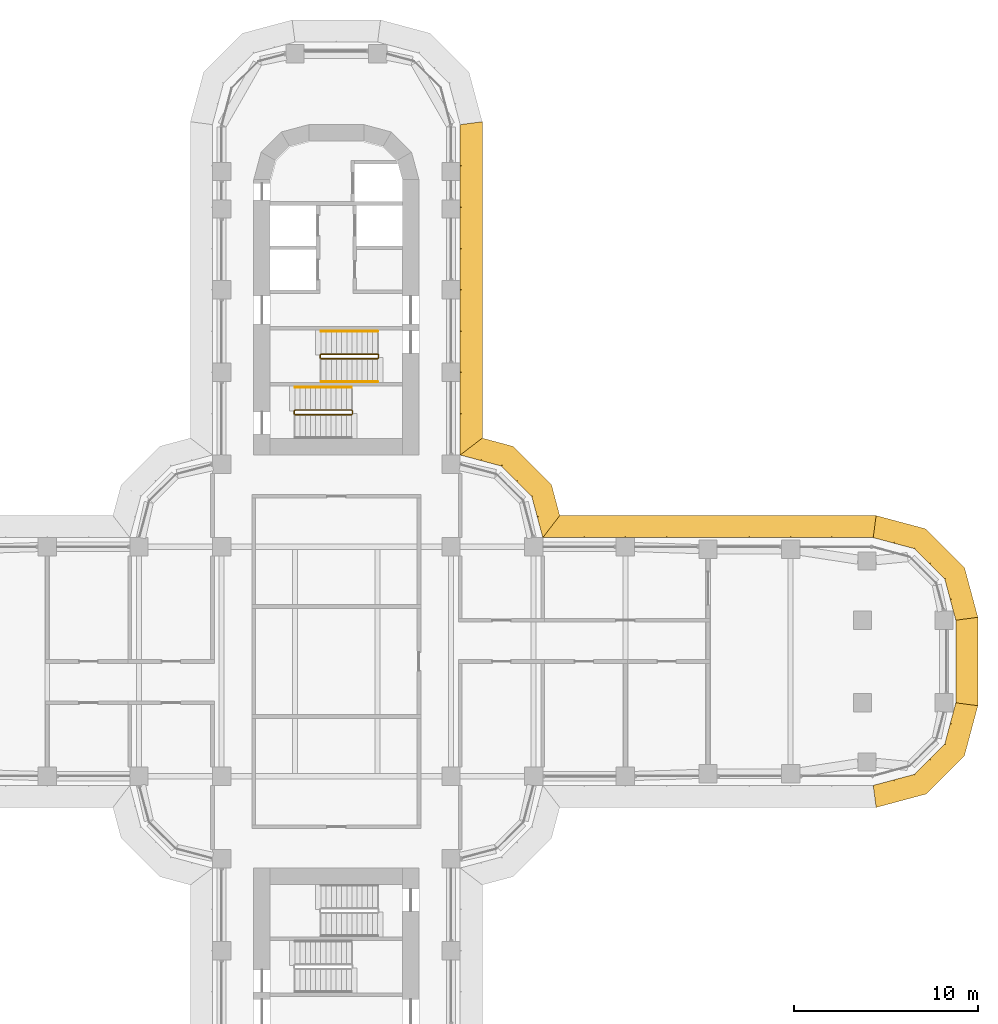
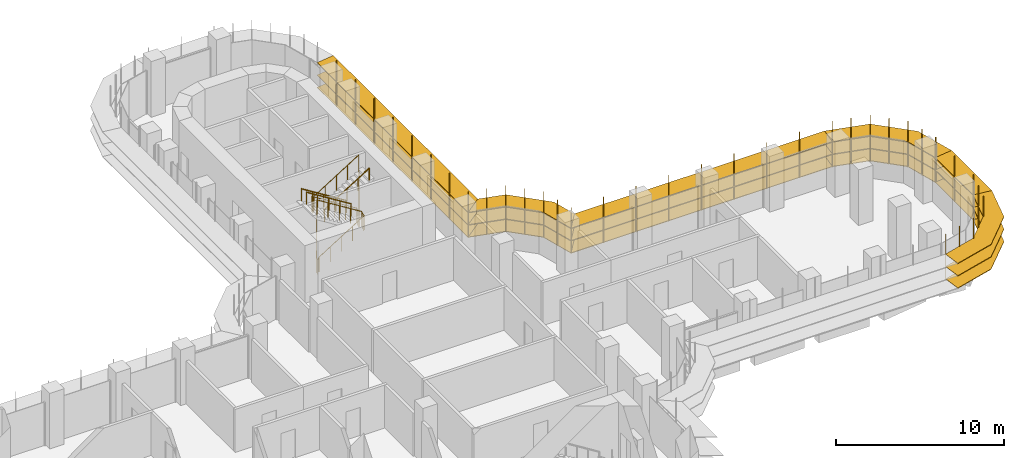
# One storey, part 22 of 23: 6 shading devices, 5 railings.
"""IFC4 building model written with IfcOpenShell, lengths in metres."""

import ifcopenshell
import ifcopenshell.guid

model = None  # the IFC model being written
_history = None  # IfcOwnerHistory: only IFC2X3 demands one
_inside = {}  # id of a spatial element -> (the spatial element, [elements in it])
_under = {}  # id of a project, library or spatial element -> (it, [spatial elements below it])
_declared = {}  # id of a project -> (the project, [libraries it declares])
_typed = {}  # id of a type object -> (the type object, [elements of that type])
_made_of = {}  # id of a material, layer set ... -> (it, [elements and type objects made of it])


def new_model(schema):
    """Start an empty IFC model of exactly this schema.

    Asked for "IFC4X3", IfcOpenShell would pick the latest addendum, in which some entities
    have other attributes; the version numbers below select the first issue.
    IFC2X3 requires an IfcOwnerHistory on every rooted entity: one is made here for all.
    """
    global model, _history
    if schema == "IFC4X3":
        model = ifcopenshell.file(schema_version=(4, 3, 0, 0))
    else:
        model = ifcopenshell.file(schema=schema)
    _inside.clear()
    _under.clear()
    _declared.clear()
    _typed.clear()
    _made_of.clear()
    _history = None
    if model.schema == "IFC2X3":
        org = make("IfcOrganization", Name="unknown")
        user = make(
            "IfcPersonAndOrganization",
            ThePerson=make("IfcPerson", FamilyName="unknown"),
            TheOrganization=org,
        )
        app = make(
            "IfcApplication",
            ApplicationDeveloper=org,
            Version="unknown",
            ApplicationFullName="unknown",
            ApplicationIdentifier="unknown",
        )
        _history = make(
            "IfcOwnerHistory",
            OwningUser=user,
            OwningApplication=app,
            ChangeAction="ADDED",
            CreationDate=0,
        )
    return model


def make(cls, **values):
    """One entity of the class cls with the attributes given. An attribute that is None is left unset."""
    return model.create_entity(
        cls, **{name: value for name, value in values.items() if value is not None}
    )


def rooted(cls, **values):
    """An entity with a GlobalId (a new one), such as an element, a storey or a relation."""
    return make(cls, GlobalId=ifcopenshell.guid.new(), OwnerHistory=_history, **values)


def si_unit(unit_type, name, prefix=None):
    """IfcSIUnit, for example si_unit("LENGTHUNIT", "METRE", prefix="MILLI")."""
    return make("IfcSIUnit", UnitType=unit_type, Prefix=prefix, Name=name)


def assignment(units):
    """IfcUnitAssignment: the units of a project."""
    return None if units is None else make("IfcUnitAssignment", Units=units)


def point(xyz):
    """IfcCartesianPoint."""
    return None if xyz is None else make("IfcCartesianPoint", Coordinates=xyz)


def direction(xyz):
    """IfcDirection."""
    return None if xyz is None else make("IfcDirection", DirectionRatios=xyz)


def frame(location, z_axis=None, x_axis=None):
    """IfcAxis2Placement3D, a coordinate frame: its origin and axes. An axis left out is left unset."""
    return make(
        "IfcAxis2Placement3D",
        Location=point(location),
        Axis=direction(z_axis),
        RefDirection=direction(x_axis),
    )


def frame_2d(location, x_axis=None):
    """IfcAxis2Placement2D, a coordinate frame in the plane: its origin and x axis."""
    return make(
        "IfcAxis2Placement2D", Location=point(location), RefDirection=direction(x_axis)
    )


def origin():
    """The frame at (0, 0, 0) with its axes left unset."""
    return frame((0.0, 0.0, 0.0))


def origin_2d():
    """The frame at (0, 0) in the plane with its x axis left unset."""
    return frame_2d((0.0, 0.0))


def place(relative_to, where):
    """IfcLocalPlacement: puts the frame where relative to a parent placement (None: the world)."""
    return make(
        "IfcLocalPlacement", PlacementRelTo=relative_to, RelativePlacement=where
    )


def context(
    kind, dimensions, precision=None, world=None, true_north=None, identifier=None
):
    """IfcGeometricRepresentationContext, for example the 3D "Model" context."""
    return make(
        "IfcGeometricRepresentationContext",
        ContextIdentifier=identifier,
        ContextType=kind,
        CoordinateSpaceDimension=dimensions,
        Precision=precision,
        WorldCoordinateSystem=world,
        TrueNorth=true_north,
    )


def subcontext(parent, identifier, kind, view, scale=None):
    """IfcGeometricRepresentationSubContext, for example "Body" below "Model"."""
    return make(
        "IfcGeometricRepresentationSubContext",
        ContextIdentifier=identifier,
        ContextType=kind,
        ParentContext=parent,
        TargetScale=scale,
        TargetView=view,
    )


def project(units=None, contexts=None):
    """IfcProject with its units and contexts."""
    return rooted(
        "IfcProject",
        Name="project",
        RepresentationContexts=contexts,
        UnitsInContext=assignment(units),
    )


def spatial(cls, under=None, at=None, **own):
    """A site, building, storey or space (cls), placed at a placement, below another one or the project."""
    s = rooted(cls, ObjectPlacement=at, **own)
    if under is not None:
        _under.setdefault(under.id(), (under, []))[1].append(s)
    return s


def polyline(points):
    """IfcPolyline through the points."""
    return make("IfcPolyline", Points=[point(p) for p in points])


def profile(cls, at=None, kind="AREA", **sizes):
    """A parametric profile (cls). Its sizes go by their IFC names, for example OverallWidth=200.0."""
    return make(cls, ProfileType=kind, Position=at, **sizes)


def circle(**sizes):
    """IfcCircleProfileDef."""
    return profile("IfcCircleProfileDef", **sizes)


def outline(outer, holes=None, kind="AREA"):
    """IfcArbitraryClosedProfileDef: a profile drawn as a closed curve; with holes, ...WithVoids."""
    if holes is None:
        return make("IfcArbitraryClosedProfileDef", ProfileType=kind, OuterCurve=outer)
    return make(
        "IfcArbitraryProfileDefWithVoids",
        ProfileType=kind,
        OuterCurve=outer,
        InnerCurves=holes,
    )


def extrude(swept, where, along, depth):
    """IfcExtrudedAreaSolid: the profile swept, set in the frame where, extruded along a direction by depth."""
    return make(
        "IfcExtrudedAreaSolid",
        SweptArea=swept,
        Position=where,
        ExtrudedDirection=direction(along),
        Depth=depth,
    )


def faces_of(points, faces, orient=None, outer=None):
    """IfcFace entities. A face is a list of loops; a loop is a list of indices into points, from 0.

    orient and outer hold one flag for each loop. By default every Orientation is true, the
    first loop of a face is its IfcFaceOuterBound and the others are IfcFaceBound.
    """
    made = []
    for i, loops in enumerate(faces):
        bounds = []
        for j, loop in enumerate(loops):
            is_outer = j == 0 if outer is None else outer[i][j]
            bounds.append(
                make(
                    "IfcFaceOuterBound" if is_outer else "IfcFaceBound",
                    Bound=make("IfcPolyLoop", Polygon=[points[k] for k in loop]),
                    Orientation=True if orient is None else orient[i][j],
                )
            )
        made.append(make("IfcFace", Bounds=bounds))
    return made


def faceted_brep(points, faces, orient=None, outer=None, voids=None):
    """IfcFacetedBrep: a solid bounded by flat faces; with voids (closed shells), ...WithVoids."""
    shared = [point(p) for p in points]
    hull = make("IfcClosedShell", CfsFaces=faces_of(shared, faces, orient, outer))
    if voids is None:
        return make("IfcFacetedBrep", Outer=hull)
    return make(
        "IfcFacetedBrepWithVoids",
        Outer=hull,
        Voids=[
            make(cls, CfsFaces=faces_of(shared, fs, o, b)) for cls, fs, o, b in voids
        ],
    )


def shape(context_of_items, identifier, shape_type, items):
    """IfcShapeRepresentation: the items that make up one representation, for example the "Body"."""
    return make(
        "IfcShapeRepresentation",
        ContextOfItems=context_of_items,
        RepresentationIdentifier=identifier,
        RepresentationType=shape_type,
        Items=items,
    )


def source(mapping_origin, context_of_items, identifier, shape_type, items):
    """IfcRepresentationMap: a shape defined once, which mapped items show again and again."""
    return make(
        "IfcRepresentationMap",
        MappingOrigin=mapping_origin,
        MappedRepresentation=shape(context_of_items, identifier, shape_type, items),
    )


def transform(
    local_origin,
    x_axis=None,
    y_axis=None,
    z_axis=None,
    scale=None,
    scale2=None,
    scale3=None,
    uniform=True,
):
    """IfcCartesianTransformationOperator3D, or its non-uniform kind. x_axis, y_axis, z_axis: its Axis1, 2, 3."""
    if uniform:
        return make(
            "IfcCartesianTransformationOperator3D",
            Axis1=direction(x_axis),
            Axis2=direction(y_axis),
            LocalOrigin=point(local_origin),
            Scale=scale,
            Axis3=direction(z_axis),
        )
    return make(
        "IfcCartesianTransformationOperator3DnonUniform",
        Axis1=direction(x_axis),
        Axis2=direction(y_axis),
        LocalOrigin=point(local_origin),
        Scale=scale,
        Axis3=direction(z_axis),
        Scale2=scale2,
        Scale3=scale3,
    )


def mapped(mapping_source, mapping_target):
    """IfcMappedItem: shows the shape of a source again, moved by a transform."""
    return make(
        "IfcMappedItem", MappingSource=mapping_source, MappingTarget=mapping_target
    )


def material(Name=None, Category=None):
    """IfcMaterial."""
    return make("IfcMaterial", Name=Name, Category=Category)


def made_of(thing, what):
    """Note that an element or type object is made of a material, layer set ...; save() writes the relation."""
    if what is not None:
        _made_of.setdefault(what.id(), (what, []))[1].append(thing)
    return thing


def type_object(cls, material=None, **own):
    """A type object (cls), such as IfcWallType, which elements share."""
    return made_of(rooted(cls, **own), material)


def element(
    cls,
    number,
    at=None,
    inside=None,
    cuts=None,
    type_object=None,
    material=None,
    context=None,
    identifier="Body",
    shape_type=None,
    held_by="IfcProductDefinitionShape",
    body=None,
    shapes=None,
    **own,
):
    """One element of the class cls, such as IfcWall. Its Tag is "e" and its number.

    at: its placement. inside: the storey or other place that contains it. cuts: it is an
    opening in that element (IfcRelVoidsElement). A single representation is given by context,
    identifier, shape_type and body (its items); several are given by shapes. held_by: the class
    of the entity that holds the representations. save() writes the other relations.
    """
    e = rooted(cls, Tag="e%d" % number, ObjectPlacement=at, **own)
    if body is not None:
        shapes = [shape(context, identifier, shape_type, body)]
    if shapes is not None:
        e.Representation = make(held_by, Representations=shapes)
    if inside is not None:
        _inside.setdefault(inside.id(), (inside, []))[1].append(e)
    if cuts is not None:
        rooted(
            "IfcRelVoidsElement", RelatingBuildingElement=cuts, RelatedOpeningElement=e
        )
    if type_object is not None:
        _typed.setdefault(type_object.id(), (type_object, []))[1].append(e)
    return made_of(e, material)


def aggregate(whole, parts):
    """IfcRelAggregates: a whole, such as a stair, and the parts it consists of."""
    return rooted("IfcRelAggregates", RelatingObject=whole, RelatedObjects=parts)


def save(model, path):
    """Write the relations noted so far, then the file.

    IfcRelAggregates (storeys below a building ...), IfcRelContainedInSpatialStructure (elements
    in a storey), IfcRelDefinesByType, IfcRelAssociatesMaterial and IfcRelDeclares: one each for
    every whole, place, type object, material and project.
    """
    for whole, parts in _under.values():
        aggregate(whole, parts)
    for where, things in _inside.values():
        rooted(
            "IfcRelContainedInSpatialStructure",
            RelatedElements=things,
            RelatingStructure=where,
        )
    for kind, things in _typed.values():
        rooted("IfcRelDefinesByType", RelatedObjects=things, RelatingType=kind)
    for what, things in _made_of.values():
        rooted("IfcRelAssociatesMaterial", RelatedObjects=things, RelatingMaterial=what)
    for by, libraries in _declared.values():
        rooted("IfcRelDeclares", RelatingContext=by, RelatedDefinitions=libraries)
    model.write(path)


model = new_model("IFC4")

# Units and contexts
model_context = context("Model", 3, precision=1e-05, world=origin(), true_north=direction((0.0, 1.0)))
body_context = subcontext(model_context, "Body", "Model", "MODEL_VIEW")
ifc_project = project(units=[si_unit("LENGTHUNIT", "METRE"), si_unit("AREAUNIT", "SQUARE_METRE"), si_unit("VOLUMEUNIT", "CUBIC_METRE"), si_unit("PLANEANGLEUNIT", "RADIAN"), si_unit("MASSUNIT", "GRAM", prefix="KILO")], contexts=[model_context])

# Site, building, storey
site_placement = place(None, origin())
site = spatial("IfcSite", under=ifc_project, at=site_placement, CompositionType="ELEMENT")
building_placement = place(site_placement, origin())
building = spatial("IfcBuilding", under=site, at=building_placement, Name="Zarbagh Exchange Tower", CompositionType="ELEMENT")
storey_placement = place(building_placement, frame((0.0, 0.0, 35.39990234375)))
storey = spatial("IfcBuildingStorey", under=building, at=storey_placement, Name="L07", CompositionType="ELEMENT", Elevation=35.39990234375)

# Railings
ifc_material_1 = material(Name="Stainless steel", Category="steel")
railing_type_1 = type_object("IfcRailingType", Name="Stair guard 1100 mm", PredefinedType="GUARDRAIL", material=ifc_material_1)
railing_1_placement = place(storey_placement, frame((-0.830078125, 16.5, 2.275146484375)))
element("IfcRailing", 1, at=railing_1_placement, inside=storey, type_object=railing_type_1, Name="ST1 stair guard 1", PredefinedType="GUARDRAIL", context=body_context, shape_type="SweptSolid", body=[
    extrude(circle(Radius=0.02392578125, at=origin_2d()), frame((0.0, 0.0, 1.076171875), z_axis=(0.847998304005, 0.0, 0.529998940003), x_axis=(0.0, 1.0, 0.0)), (0.0, 0.0, 1.0), 3.632080078125),
    extrude(circle(Radius=0.02392578125, at=origin_2d()), frame((3.080078125, 0.0, 3.0009765625), z_axis=(0.011914141993, 0.011914141993, -0.999858043145), x_axis=(-0.707106781187, 0.707106781187, 0.0)), (0.0, 0.0, 1.0), 4.20068359375),
    extrude(circle(Radius=0.02392578125, at=origin_2d()), frame((3.130126953125, 0.050048828125, -1.19921875), z_axis=(0.0, 1.0, 0.0), x_axis=(-1.0, 0.0, 0.0)), (0.0, 0.0, 1.0), 0.14990234375),
    extrude(circle(Radius=0.02392578125, at=origin_2d()), frame((3.130126953125, 0.199951171875, -1.19921875), z_axis=(-0.265065253269, 0.265065253269, 0.927081885822), x_axis=(-0.707106781187, -0.707106781187, 0.0)), (0.0, 0.0, 1.0), 0.188720703125),
    extrude(circle(Radius=0.02392578125, at=origin_2d()), frame((3.080078125, 0.25, -1.02392578125), z_axis=(-0.847998304005, 0.0, 0.529998940003), x_axis=(0.0, -1.0, 0.0)), (0.0, 0.0, 1.0), 3.632080078125),
    extrude(circle(Radius=0.02392578125, at=origin_2d()), frame((0.0, 0.25, 0.90087890625), z_axis=(-0.705375805398, -0.708833529934, 0.0), x_axis=(0.708833529934, -0.705375805398, 0.0)), (0.0, 0.0, 1.0), 0.070556640625),
    extrude(circle(Radius=0.02392578125, at=origin_2d()), frame((-0.0498046875, 0.199951171875, 0.90087890625), z_axis=(0.0, -1.0, 0.0), x_axis=(1.0, 0.0, 0.0)), (0.0, 0.0, 1.0), 0.14990234375),
    extrude(circle(Radius=0.02099609375, at=origin_2d()), origin(), (0.0, 0.0, 1.0), 1.052001953125),
    extrude(circle(Radius=0.02099609375, at=origin_2d()), frame((0.77001953125, 0.0, 0.481201171875)), (0.0, 0.0, 1.0), 1.052001953125),
    extrude(circle(Radius=0.02099609375, at=origin_2d()), frame((1.5400390625, 0.0, 0.96240234375)), (0.0, 0.0, 1.0), 1.052001953125),
    extrude(circle(Radius=0.02099609375, at=origin_2d()), frame((2.31005859375, 0.0, 1.44384765625)), (0.0, 0.0, 1.0), 1.052001953125),
    extrude(circle(Radius=0.02099609375, at=origin_2d()), frame((3.080078125, 0.0, 1.925048828125)), (0.0, 0.0, 1.0), 1.052001953125),
    extrude(circle(Radius=0.02099609375, at=origin_2d()), frame((3.092529296875, 0.012451171875, 0.875)), (0.0, 0.0, 1.0), 1.052001953125),
    extrude(circle(Radius=0.02099609375, at=origin_2d()), frame((3.10498046875, 0.02490234375, -0.175048828125)), (0.0, 0.0, 1.0), 1.052001953125),
    extrude(circle(Radius=0.02099609375, at=origin_2d()), frame((3.11767578125, 0.03759765625, -1.22509765625)), (0.0, 0.0, 1.0), 1.052001953125),
    extrude(circle(Radius=0.02099609375, at=origin_2d()), frame((3.130126953125, 0.050048828125, -2.275146484375)), (0.0, 0.0, 1.0), 1.052001953125),
    extrude(circle(Radius=0.02099609375, at=origin_2d()), frame((3.130126953125, 0.199951171875, -2.275146484375)), (0.0, 0.0, 1.0), 1.052001953125),
    extrude(circle(Radius=0.02099609375, at=origin_2d()), frame((3.080078125, 0.25, -2.10009765625)), (0.0, 0.0, 1.0), 1.052001953125),
    extrude(circle(Radius=0.02099609375, at=origin_2d()), frame((2.31005859375, 0.25, -1.618896484375)), (0.0, 0.0, 1.0), 1.052001953125),
    extrude(circle(Radius=0.02099609375, at=origin_2d()), frame((1.5400390625, 0.25, -1.1376953125)), (0.0, 0.0, 1.0), 1.052001953125),
    extrude(circle(Radius=0.02099609375, at=origin_2d()), frame((0.77001953125, 0.25, -0.65625)), (0.0, 0.0, 1.0), 1.052001953125),
    extrude(circle(Radius=0.02099609375, at=origin_2d()), frame((0.0, 0.25, -0.175048828125)), (0.0, 0.0, 1.0), 1.052001953125),
    extrude(circle(Radius=0.02099609375, at=origin_2d()), frame((-0.0498046875, 0.199951171875, -0.175048828125)), (0.0, 0.0, 1.0), 1.052001953125),
    extrude(circle(Radius=0.02099609375, at=origin_2d()), frame((-0.0498046875, 0.050048828125, -0.175048828125)), (0.0, 0.0, 1.0), 1.052001953125),
])
railing_2_placement = place(storey_placement, frame((0.8798828125, 13.5, 2.10009765625)))
element("IfcRailing", 2, at=railing_2_placement, inside=storey, type_object=railing_type_1, Name="ST2 stair guard 1", PredefinedType="GUARDRAIL", context=body_context, shape_type="SweptSolid", body=[
    extrude(circle(Radius=0.02392578125, at=origin_2d()), frame((0.0, 0.0, 1.076171875), z_axis=(0.0, 1.0, 0.0), x_axis=(-1.0, 0.0, 0.0)), (0.0, 0.0, 1.0), 0.14990234375),
    extrude(circle(Radius=0.02392578125, at=origin_2d()), frame((0.0, 0.14990234375, 1.076171875), z_axis=(-0.263862480399, 0.265155923931, 0.927399011991), x_axis=(-0.708833529934, -0.705375805398, 0.0)), (0.0, 0.0, 1.0), 0.188720703125),
    extrude(circle(Radius=0.02392578125, at=origin_2d()), frame((-0.0498046875, 0.199951171875, 1.2509765625), z_axis=(-0.847998304005, 0.0, 0.529998940003), x_axis=(0.0, -1.0, 0.0)), (0.0, 0.0, 1.0), 3.632080078125),
    extrude(circle(Radius=0.02392578125, at=origin_2d()), frame((-3.1298828125, 0.199951171875, 3.17626953125), z_axis=(-0.011914141993, -0.011914141993, -0.999858043145), x_axis=(0.707106781187, -0.707106781187, 0.0)), (0.0, 0.0, 1.0), 4.20068359375),
    extrude(circle(Radius=0.02392578125, at=origin_2d()), frame((-3.179931640625, 0.14990234375, -1.02392578125), z_axis=(0.0, -1.0, 0.0), x_axis=(1.0, 0.0, 0.0)), (0.0, 0.0, 1.0), 0.14990234375),
    extrude(circle(Radius=0.02392578125, at=origin_2d()), frame((-3.179931640625, 0.0, -1.02392578125), z_axis=(0.265065253269, -0.265065253269, 0.927081885822), x_axis=(0.707106781187, 0.707106781187, 0.0)), (0.0, 0.0, 1.0), 0.188720703125),
    extrude(circle(Radius=0.02392578125, at=origin_2d()), frame((-3.1298828125, -0.050048828125, -0.84912109375), z_axis=(0.847998304005, 0.0, 0.529998940003), x_axis=(0.0, 1.0, 0.0)), (0.0, 0.0, 1.0), 3.632080078125),
    extrude(circle(Radius=0.02099609375, at=origin_2d()), origin(), (0.0, 0.0, 1.0), 1.052001953125),
    extrude(circle(Radius=0.02099609375, at=origin_2d()), frame((0.0, 0.14990234375, 0.0)), (0.0, 0.0, 1.0), 1.052001953125),
    extrude(circle(Radius=0.02099609375, at=origin_2d()), frame((-0.0498046875, 0.199951171875, 0.175048828125)), (0.0, 0.0, 1.0), 1.052001953125),
    extrude(circle(Radius=0.02099609375, at=origin_2d()), frame((-0.81982421875, 0.199951171875, 0.65625)), (0.0, 0.0, 1.0), 1.052001953125),
    extrude(circle(Radius=0.02099609375, at=origin_2d()), frame((-1.58984375, 0.199951171875, 1.1376953125)), (0.0, 0.0, 1.0), 1.052001953125),
    extrude(circle(Radius=0.02099609375, at=origin_2d()), frame((-2.35986328125, 0.199951171875, 1.618896484375)), (0.0, 0.0, 1.0), 1.052001953125),
    extrude(circle(Radius=0.02099609375, at=origin_2d()), frame((-3.1298828125, 0.199951171875, 2.10009765625)), (0.0, 0.0, 1.0), 1.052001953125),
    extrude(circle(Radius=0.02099609375, at=origin_2d()), frame((-3.142333984375, 0.1875, 1.050048828125)), (0.0, 0.0, 1.0), 1.052001953125),
    extrude(circle(Radius=0.02099609375, at=origin_2d()), frame((-3.15478515625, 0.1748046875, 0.0)), (0.0, 0.0, 1.0), 1.052001953125),
    extrude(circle(Radius=0.02099609375, at=origin_2d()), frame((-3.16748046875, 0.162353515625, -1.050048828125)), (0.0, 0.0, 1.0), 1.052001953125),
    extrude(circle(Radius=0.02099609375, at=origin_2d()), frame((-3.179931640625, 0.14990234375, -2.10009765625)), (0.0, 0.0, 1.0), 1.052001953125),
    extrude(circle(Radius=0.02099609375, at=origin_2d()), frame((-3.179931640625, 0.0, -2.10009765625)), (0.0, 0.0, 1.0), 1.052001953125),
    extrude(circle(Radius=0.02099609375, at=origin_2d()), frame((-3.1298828125, -0.050048828125, -1.925048828125)), (0.0, 0.0, 1.0), 1.052001953125),
    extrude(circle(Radius=0.02099609375, at=origin_2d()), frame((-2.35986328125, -0.050048828125, -1.44384765625)), (0.0, 0.0, 1.0), 1.052001953125),
    extrude(circle(Radius=0.02099609375, at=origin_2d()), frame((-1.58984375, -0.050048828125, -0.96240234375)), (0.0, 0.0, 1.0), 1.052001953125),
    extrude(circle(Radius=0.02099609375, at=origin_2d()), frame((-0.81982421875, -0.050048828125, -0.481201171875)), (0.0, 0.0, 1.0), 1.052001953125),
    extrude(circle(Radius=0.02099609375, at=origin_2d()), frame((-0.0498046875, -0.050048828125, 0.0)), (0.0, 0.0, 1.0), 1.052001953125),
])
railing_type_2 = type_object("IfcRailingType", Name="Stair handrail 900 mm", PredefinedType="HANDRAIL", material=ifc_material_1)
railing_3_placement = place(storey_placement, frame((2.25, 18.0, 0.175048828125)))
element("IfcRailing", 3, at=railing_3_placement, inside=storey, type_object=railing_type_2, Name="ST1 stair handrail 1", PredefinedType="HANDRAIL", context=body_context, shape_type="SweptSolid", body=[
    extrude(circle(Radius=0.02392578125, at=origin_2d()), frame((0.0, 0.0, 0.8759765625), z_axis=(-0.847998304005, 0.0, 0.529998940003), x_axis=(0.0, -1.0, 0.0)), (0.0, 0.0, 1.0), 3.632080078125),
    extrude(circle(Radius=0.02099609375, at=origin_2d()), origin(), (0.0, 0.0, 1.0), 0.851806640625),
    extrude(circle(Radius=0.02099609375, at=origin_2d()), frame((-0.77001953125, 0.0, 0.481201171875)), (0.0, 0.0, 1.0), 0.851806640625),
    extrude(circle(Radius=0.02099609375, at=origin_2d()), frame((-1.5400390625, 0.0, 0.96240234375)), (0.0, 0.0, 1.0), 0.851806640625),
    extrude(circle(Radius=0.02099609375, at=origin_2d()), frame((-2.31005859375, 0.0, 1.44384765625)), (0.0, 0.0, 1.0), 0.851806640625),
    extrude(circle(Radius=0.02099609375, at=origin_2d()), frame((-3.080078125, 0.0, 1.925048828125)), (0.0, 0.0, 1.0), 0.851806640625),
])
railing_4_placement = place(storey_placement, frame((-0.830078125, 15.25, 2.275146484375)))
element("IfcRailing", 4, at=railing_4_placement, inside=storey, type_object=railing_type_2, Name="ST1 stair handrail 2", PredefinedType="HANDRAIL", context=body_context, shape_type="SweptSolid", body=[
    extrude(circle(Radius=0.02392578125, at=origin_2d()), frame((0.0, 0.0, 0.8759765625), z_axis=(0.847998304005, 0.0, 0.529998940003), x_axis=(0.0, 1.0, 0.0)), (0.0, 0.0, 1.0), 3.632080078125),
    extrude(circle(Radius=0.02099609375, at=origin_2d()), origin(), (0.0, 0.0, 1.0), 0.851806640625),
    extrude(circle(Radius=0.02099609375, at=origin_2d()), frame((0.77001953125, 0.0, 0.481201171875)), (0.0, 0.0, 1.0), 0.851806640625),
    extrude(circle(Radius=0.02099609375, at=origin_2d()), frame((1.5400390625, 0.0, 0.96240234375)), (0.0, 0.0, 1.0), 0.851806640625),
    extrude(circle(Radius=0.02099609375, at=origin_2d()), frame((2.31005859375, 0.0, 1.44384765625)), (0.0, 0.0, 1.0), 0.851806640625),
    extrude(circle(Radius=0.02099609375, at=origin_2d()), frame((3.080078125, 0.0, 1.925048828125)), (0.0, 0.0, 1.0), 0.851806640625),
])
railing_5_placement = place(storey_placement, frame((0.830078125, 14.949951171875, 2.275146484375)))
element("IfcRailing", 5, at=railing_5_placement, inside=storey, type_object=railing_type_2, Name="ST2 stair handrail 2", PredefinedType="HANDRAIL", context=body_context, shape_type="SweptSolid", body=[
    extrude(circle(Radius=0.02392578125, at=origin_2d()), frame((0.0, 0.0, 0.8759765625), z_axis=(-0.847998304005, 0.0, 0.529998940003), x_axis=(0.0, -1.0, 0.0)), (0.0, 0.0, 1.0), 3.632080078125),
    extrude(circle(Radius=0.02099609375, at=origin_2d()), origin(), (0.0, 0.0, 1.0), 0.851806640625),
    extrude(circle(Radius=0.02099609375, at=origin_2d()), frame((-0.77001953125, 0.0, 0.481201171875)), (0.0, 0.0, 1.0), 0.851806640625),
    extrude(circle(Radius=0.02099609375, at=origin_2d()), frame((-1.5400390625, 0.0, 0.96240234375)), (0.0, 0.0, 1.0), 0.851806640625),
    extrude(circle(Radius=0.02099609375, at=origin_2d()), frame((-2.31005859375, 0.0, 1.44384765625)), (0.0, 0.0, 1.0), 0.851806640625),
    extrude(circle(Radius=0.02099609375, at=origin_2d()), frame((-3.080078125, 0.0, 1.925048828125)), (0.0, 0.0, 1.0), 0.851806640625),
])

# Shading devices
ifc_material_2 = material(Name="Anodised aluminium blades and brackets", Category="aluminium")
shading_device_type = type_object("IfcShadingDeviceType", Name="SUNSHADE louvre band, 0 degree blades", PredefinedType="JALOUSIE", material=ifc_material_2)
shared_shape_1 = source(origin(), body_context, "Body", "Brep", [
    faceted_brep([(0.0, 0.0, 0.0), (0.0, 0.0, -0.0400390625), (-0.157958984375, -1.199951171875, -0.0400390625), (-0.157958984375, -1.199951171875, 0.0), (2.65087890625, -1.199951171875, 0.0), (2.65087890625, -1.199951171875, -0.0400390625), (2.329345703125, 0.0, -0.0400390625), (2.329345703125, 0.0, 0.0)], [[[0, 1, 2, 3]], [[4, 5, 6, 7]], [[0, 7, 6, 1]], [[1, 6, 5, 2]], [[2, 5, 4, 3]], [[3, 4, 7, 0]]]),
])
shared_shape_2 = source(origin(), body_context, "Body", "Brep", [
    faceted_brep([(0.0, 0.0, 0.0), (0.0, 0.0, -0.0400390625), (-0.321533203125, -1.199951171875, -0.0400390625), (-0.321533203125, -1.199951171875, 0.0), (2.65087890625, -1.199951171875, 0.0), (2.65087890625, -1.199951171875, -0.0400390625), (2.329345703125, 0.0, -0.0400390625), (2.329345703125, 0.0, 0.0)], [[[0, 1, 2, 3]], [[4, 5, 6, 7]], [[0, 7, 6, 1]], [[1, 6, 5, 2]], [[2, 5, 4, 3]], [[3, 4, 7, 0]]]),
])
shared_shape_3 = source(origin(), body_context, "Body", "Brep", [
    faceted_brep([(0.0, 0.0, 0.0), (0.0, 0.0, -0.0400390625), (-0.321533203125, -1.199951171875, -0.0400390625), (-0.321533203125, -1.199951171875, 0.0), (2.4873046875, -1.199951171875, 0.0), (2.4873046875, -1.199951171875, -0.0400390625), (2.329345703125, 0.0, -0.0400390625), (2.329345703125, 0.0, 0.0)], [[[0, 1, 2, 3]], [[4, 5, 6, 7]], [[0, 7, 6, 1]], [[1, 6, 5, 2]], [[2, 5, 4, 3]], [[3, 4, 7, 0]]]),
])
shared_shape_4 = source(origin(), body_context, "Body", "SweptSolid", [
    extrude(outline(polyline([(0.0, -0.012451171875), (0.06005859375, -0.012451171875), (0.06005859375, 0.012451171875), (0.0, 0.012451171875), (0.0, -0.012451171875)])), origin(), (0.0, 0.0, 1.0), 3.35009765625),
])
placement = place(storey_placement, origin())
element("IfcShadingDevice", 6, at=placement, inside=storey, type_object=shading_device_type, Name="SS05 sunshade band", PredefinedType="JALOUSIE", context=body_context, shape_type="MappedRepresentation", body=[
    mapped(shared_shape_1, transform((29.25, -6.75, 2.7001953125), x_axis=(0.965924289636, 0.258824779902, 0.0), y_axis=(-0.258824779902, 0.965924289636, 0.0), z_axis=(0.0, 0.0, 1.0))),
    mapped(shared_shape_1, transform((29.25, -6.75, 1.800048828125), x_axis=(0.965924289636, 0.258824779902, 0.0), y_axis=(-0.258824779902, 0.965924289636, 0.0), z_axis=(0.0, 0.0, 1.0))),
    mapped(shared_shape_1, transform((29.25, -6.75, 0.900146484375), x_axis=(0.965924289636, 0.258824779902, 0.0), y_axis=(-0.258824779902, 0.965924289636, 0.0), z_axis=(0.0, 0.0, 1.0))),
    mapped(shared_shape_2, transform((31.5, -6.147216796875, 2.7001953125), x_axis=(0.707106781187, 0.707106781187, 0.0), y_axis=(-0.707106781187, 0.707106781187, 0.0), z_axis=(0.0, 0.0, 1.0))),
    mapped(shared_shape_2, transform((31.5, -6.147216796875, 1.800048828125), x_axis=(0.707106781187, 0.707106781187, 0.0), y_axis=(-0.707106781187, 0.707106781187, 0.0), z_axis=(0.0, 0.0, 1.0))),
    mapped(shared_shape_2, transform((31.5, -6.147216796875, 0.900146484375), x_axis=(0.707106781187, 0.707106781187, 0.0), y_axis=(-0.707106781187, 0.707106781187, 0.0), z_axis=(0.0, 0.0, 1.0))),
    mapped(shared_shape_3, transform((33.147216796875, -4.5, 2.7001953125), x_axis=(0.258824779902, 0.965924289636, 0.0), y_axis=(-0.965924289636, 0.258824779902, 0.0), z_axis=(0.0, 0.0, 1.0))),
    mapped(shared_shape_3, transform((33.147216796875, -4.5, 1.800048828125), x_axis=(0.258824779902, 0.965924289636, 0.0), y_axis=(-0.965924289636, 0.258824779902, 0.0), z_axis=(0.0, 0.0, 1.0))),
    mapped(shared_shape_3, transform((33.147216796875, -4.5, 0.900146484375), x_axis=(0.258824779902, 0.965924289636, 0.0), y_axis=(-0.965924289636, 0.258824779902, 0.0), z_axis=(0.0, 0.0, 1.0))),
    mapped(shared_shape_4, transform((29.25, -6.75, 0.830078125), x_axis=(0.130529263012, -0.991444457092, 0.0), y_axis=(0.991444457092, 0.130529263012, 0.0), z_axis=(0.0, 0.0, 1.0))),
    mapped(shared_shape_4, transform((30.375, -6.448486328125, 0.830078125), x_axis=(0.258825058029, -0.96592421511, 0.0), y_axis=(0.96592421511, 0.258825058029, 0.0), z_axis=(0.0, 0.0, 1.0))),
    mapped(shared_shape_4, transform((31.5, -6.147216796875, 0.830078125), x_axis=(0.50000275701, -0.866023812018, 0.0), y_axis=(0.866023812018, 0.50000275701, 0.0), z_axis=(0.0, 0.0, 1.0))),
    mapped(shared_shape_4, transform((32.323486328125, -5.323486328125, 0.830078125), x_axis=(0.707106781187, -0.707106781187, 0.0), y_axis=(0.707106781187, 0.707106781187, 0.0), z_axis=(0.0, 0.0, 1.0))),
    mapped(shared_shape_4, transform((33.147216796875, -4.5, 0.830078125), x_axis=(0.866023812018, -0.50000275701, 0.0), y_axis=(0.50000275701, 0.866023812018, 0.0), z_axis=(0.0, 0.0, 1.0))),
    mapped(shared_shape_4, transform((33.448486328125, -3.375, 0.830078125), x_axis=(0.96592421511, -0.258825058029, 0.0), y_axis=(0.258825058029, 0.96592421511, 0.0), z_axis=(0.0, 0.0, 1.0))),
])
element("IfcShadingDevice", 7, at=placement, inside=storey, type_object=shading_device_type, Name="SS07 sunshade band", PredefinedType="JALOUSIE", context=body_context, shape_type="MappedRepresentation", body=[
    mapped(shared_shape_1, transform((33.75, 2.25, 2.7001953125), x_axis=(-0.258824779902, 0.965924289636, 0.0), y_axis=(-0.965924289636, -0.258824779902, 0.0), z_axis=(0.0, 0.0, 1.0))),
    mapped(shared_shape_1, transform((33.75, 2.25, 1.800048828125), x_axis=(-0.258824779902, 0.965924289636, 0.0), y_axis=(-0.965924289636, -0.258824779902, 0.0), z_axis=(0.0, 0.0, 1.0))),
    mapped(shared_shape_1, transform((33.75, 2.25, 0.900146484375), x_axis=(-0.258824779902, 0.965924289636, 0.0), y_axis=(-0.965924289636, -0.258824779902, 0.0), z_axis=(0.0, 0.0, 1.0))),
    mapped(shared_shape_2, transform((33.147216796875, 4.5, 2.7001953125), x_axis=(-0.707106781187, 0.707106781187, 0.0), y_axis=(-0.707106781187, -0.707106781187, 0.0), z_axis=(0.0, 0.0, 1.0))),
    mapped(shared_shape_2, transform((33.147216796875, 4.5, 1.800048828125), x_axis=(-0.707106781187, 0.707106781187, 0.0), y_axis=(-0.707106781187, -0.707106781187, 0.0), z_axis=(0.0, 0.0, 1.0))),
    mapped(shared_shape_2, transform((33.147216796875, 4.5, 0.900146484375), x_axis=(-0.707106781187, 0.707106781187, 0.0), y_axis=(-0.707106781187, -0.707106781187, 0.0), z_axis=(0.0, 0.0, 1.0))),
    mapped(shared_shape_3, transform((31.5, 6.147216796875, 2.7001953125), x_axis=(-0.965924289636, 0.258824779902, 0.0), y_axis=(-0.258824779902, -0.965924289636, 0.0), z_axis=(0.0, 0.0, 1.0))),
    mapped(shared_shape_3, transform((31.5, 6.147216796875, 1.800048828125), x_axis=(-0.965924289636, 0.258824779902, 0.0), y_axis=(-0.258824779902, -0.965924289636, 0.0), z_axis=(0.0, 0.0, 1.0))),
    mapped(shared_shape_3, transform((31.5, 6.147216796875, 0.900146484375), x_axis=(-0.965924289636, 0.258824779902, 0.0), y_axis=(-0.258824779902, -0.965924289636, 0.0), z_axis=(0.0, 0.0, 1.0))),
    mapped(shared_shape_4, transform((33.75, 2.25, 0.830078125), x_axis=(0.991444457092, 0.130529263012, 0.0), y_axis=(-0.130529263012, 0.991444457092, 0.0), z_axis=(0.0, 0.0, 1.0))),
    mapped(shared_shape_4, transform((33.448486328125, 3.375, 0.830078125), x_axis=(0.96592421511, 0.258825058029, 0.0), y_axis=(-0.258825058029, 0.96592421511, 0.0), z_axis=(0.0, 0.0, 1.0))),
    mapped(shared_shape_4, transform((33.147216796875, 4.5, 0.830078125), x_axis=(0.866023812018, 0.50000275701, 0.0), y_axis=(-0.50000275701, 0.866023812018, 0.0), z_axis=(0.0, 0.0, 1.0))),
    mapped(shared_shape_4, transform((32.323486328125, 5.323486328125, 0.830078125), x_axis=(0.707106781187, 0.707106781187, 0.0), y_axis=(-0.707106781187, 0.707106781187, 0.0), z_axis=(0.0, 0.0, 1.0))),
    mapped(shared_shape_4, transform((31.5, 6.147216796875, 0.830078125), x_axis=(0.50000275701, 0.866023812018, 0.0), y_axis=(-0.866023812018, 0.50000275701, 0.0), z_axis=(0.0, 0.0, 1.0))),
    mapped(shared_shape_4, transform((30.375, 6.448486328125, 0.830078125), x_axis=(0.258825058029, 0.96592421511, 0.0), y_axis=(-0.96592421511, 0.258825058029, 0.0), z_axis=(0.0, 0.0, 1.0))),
])
shared_shape_5 = source(origin(), body_context, "Body", "Brep", [
    faceted_brep([(0.0, 0.0, 0.0), (0.0, 0.0, -0.0400390625), (0.9208984375, -1.199951171875, -0.0400390625), (0.9208984375, -1.199951171875, 0.0), (2.65087890625, -1.199951171875, 0.0), (2.65087890625, -1.199951171875, -0.0400390625), (2.329345703125, 0.0, -0.0400390625), (2.329345703125, 0.0, 0.0)], [[[0, 1, 2, 3]], [[4, 5, 6, 7]], [[0, 7, 6, 1]], [[1, 6, 5, 2]], [[2, 5, 4, 3]], [[3, 4, 7, 0]]]),
])
shared_shape_6 = source(origin(), body_context, "Body", "Brep", [
    faceted_brep([(0.0, 0.0, 0.0), (0.0, 0.0, -0.0400390625), (-0.321533203125, -1.199951171875, -0.0400390625), (-0.321533203125, -1.199951171875, 0.0), (1.40869140625, -1.199951171875, 0.0), (1.40869140625, -1.199951171875, -0.0400390625), (2.329345703125, 0.0, -0.0400390625), (2.329345703125, 0.0, 0.0)], [[[0, 1, 2, 3]], [[4, 5, 6, 7]], [[0, 7, 6, 1]], [[1, 6, 5, 2]], [[2, 5, 4, 3]], [[3, 4, 7, 0]]]),
])
element("IfcShadingDevice", 8, at=placement, inside=storey, type_object=shading_device_type, Name="SS09 sunshade band", PredefinedType="JALOUSIE", context=body_context, shape_type="MappedRepresentation", body=[
    mapped(shared_shape_5, transform((11.25, 6.75, 2.7001953125), x_axis=(-0.258824779902, 0.965924289636, 0.0), y_axis=(-0.965924289636, -0.258824779902, 0.0), z_axis=(0.0, 0.0, 1.0))),
    mapped(shared_shape_5, transform((11.25, 6.75, 1.800048828125), x_axis=(-0.258824779902, 0.965924289636, 0.0), y_axis=(-0.965924289636, -0.258824779902, 0.0), z_axis=(0.0, 0.0, 1.0))),
    mapped(shared_shape_5, transform((11.25, 6.75, 0.900146484375), x_axis=(-0.258824779902, 0.965924289636, 0.0), y_axis=(-0.965924289636, -0.258824779902, 0.0), z_axis=(0.0, 0.0, 1.0))),
    mapped(shared_shape_2, transform((10.647216796875, 9.0, 2.7001953125), x_axis=(-0.707106781187, 0.707106781187, 0.0), y_axis=(-0.707106781187, -0.707106781187, 0.0), z_axis=(0.0, 0.0, 1.0))),
    mapped(shared_shape_2, transform((10.647216796875, 9.0, 1.800048828125), x_axis=(-0.707106781187, 0.707106781187, 0.0), y_axis=(-0.707106781187, -0.707106781187, 0.0), z_axis=(0.0, 0.0, 1.0))),
    mapped(shared_shape_2, transform((10.647216796875, 9.0, 0.900146484375), x_axis=(-0.707106781187, 0.707106781187, 0.0), y_axis=(-0.707106781187, -0.707106781187, 0.0), z_axis=(0.0, 0.0, 1.0))),
    mapped(shared_shape_6, transform((9.0, 10.647216796875, 2.7001953125), x_axis=(-0.965924289636, 0.258824779902, 0.0), y_axis=(-0.258824779902, -0.965924289636, 0.0), z_axis=(0.0, 0.0, 1.0))),
    mapped(shared_shape_6, transform((9.0, 10.647216796875, 1.800048828125), x_axis=(-0.965924289636, 0.258824779902, 0.0), y_axis=(-0.258824779902, -0.965924289636, 0.0), z_axis=(0.0, 0.0, 1.0))),
    mapped(shared_shape_6, transform((9.0, 10.647216796875, 0.900146484375), x_axis=(-0.965924289636, 0.258824779902, 0.0), y_axis=(-0.258824779902, -0.965924289636, 0.0), z_axis=(0.0, 0.0, 1.0))),
    mapped(shared_shape_4, transform((11.25, 6.75, 0.830078125), x_axis=(0.608758892, 0.793355287, 0.0), y_axis=(-0.793355287, 0.608758892, 0.0), z_axis=(0.0, 0.0, 1.0))),
    mapped(shared_shape_4, transform((10.948486328125, 7.875, 0.830078125), x_axis=(0.96592421511, 0.258825058029, 0.0), y_axis=(-0.258825058029, 0.96592421511, 0.0), z_axis=(0.0, 0.0, 1.0))),
    mapped(shared_shape_4, transform((10.647216796875, 9.0, 0.830078125), x_axis=(0.866023812018, 0.50000275701, 0.0), y_axis=(-0.50000275701, 0.866023812018, 0.0), z_axis=(0.0, 0.0, 1.0))),
    mapped(shared_shape_4, transform((9.823486328125, 9.823486328125, 0.830078125), x_axis=(0.707106781187, 0.707106781187, 0.0), y_axis=(-0.707106781187, 0.707106781187, 0.0), z_axis=(0.0, 0.0, 1.0))),
    mapped(shared_shape_4, transform((9.0, 10.647216796875, 0.830078125), x_axis=(0.50000275701, 0.866023812018, 0.0), y_axis=(-0.866023812018, 0.50000275701, 0.0), z_axis=(0.0, 0.0, 1.0))),
    mapped(shared_shape_4, transform((7.875, 10.948486328125, 0.830078125), x_axis=(0.258825058029, 0.96592421511, 0.0), y_axis=(-0.96592421511, 0.258825058029, 0.0), z_axis=(0.0, 0.0, 1.0))),
])
shared_shape_7 = source(origin(), body_context, "Body", "Brep", [
    faceted_brep([(0.0, 0.0, 0.0), (0.0, 0.0, -0.0400390625), (-0.157958984375, -1.199951171875, -0.0400390625), (-0.157958984375, -1.199951171875, 0.0), (4.657958984375, -1.199951171875, 0.0), (4.657958984375, -1.199951171875, -0.0400390625), (4.5, 0.0, -0.0400390625), (4.5, 0.0, 0.0)], [[[0, 1, 2, 3]], [[4, 5, 6, 7]], [[0, 7, 6, 1]], [[1, 6, 5, 2]], [[2, 5, 4, 3]], [[3, 4, 7, 0]]]),
])
element("IfcShadingDevice", 9, at=placement, inside=storey, type_object=shading_device_type, Name="SS06 sunshade band", PredefinedType="JALOUSIE", context=body_context, shape_type="MappedRepresentation", body=[
    mapped(shared_shape_7, transform((33.75, -2.25, 2.7001953125), x_axis=(0.0, 1.0, 0.0), y_axis=(-1.0, 0.0, 0.0), z_axis=(0.0, 0.0, 1.0))),
    mapped(shared_shape_7, transform((33.75, -2.25, 1.800048828125), x_axis=(0.0, 1.0, 0.0), y_axis=(-1.0, 0.0, 0.0), z_axis=(0.0, 0.0, 1.0))),
    mapped(shared_shape_7, transform((33.75, -2.25, 0.900146484375), x_axis=(0.0, 1.0, 0.0), y_axis=(-1.0, 0.0, 0.0), z_axis=(0.0, 0.0, 1.0))),
    mapped(shared_shape_4, transform((33.75, -2.25, 0.830078125), x_axis=(0.991444457092, -0.130529263012, 0.0), y_axis=(0.130529263012, 0.991444457092, 0.0), z_axis=(0.0, 0.0, 1.0))),
    mapped(shared_shape_4, transform((33.75, 0.0, 0.830078125), x_axis=(1.0, 0.0, 0.0), y_axis=(0.0, 1.0, 0.0), z_axis=(0.0, 0.0, 1.0))),
])
shared_shape_8 = source(origin(), body_context, "Body", "Brep", [
    faceted_brep([(0.0, 0.0, 0.0), (0.0, 0.0, -0.0400390625), (-0.157958984375, -1.199951171875, -0.0400390625), (-0.157958984375, -1.199951171875, 0.0), (17.0791015625, -1.199951171875, 0.0), (17.0791015625, -1.199951171875, -0.0400390625), (18.0, 0.0, -0.0400390625), (18.0, 0.0, 0.0)], [[[0, 1, 2, 3]], [[4, 5, 6, 7]], [[0, 7, 6, 1]], [[1, 6, 5, 2]], [[2, 5, 4, 3]], [[3, 4, 7, 0]]]),
])
element("IfcShadingDevice", 10, at=placement, inside=storey, type_object=shading_device_type, Name="SS08 sunshade band", PredefinedType="JALOUSIE", context=body_context, shape_type="MappedRepresentation", body=[
    mapped(shared_shape_8, transform((29.25, 6.75, 2.7001953125), x_axis=(-1.0, 0.0, 0.0), y_axis=(0.0, -1.0, 0.0), z_axis=(0.0, 0.0, 1.0))),
    mapped(shared_shape_8, transform((29.25, 6.75, 1.800048828125), x_axis=(-1.0, 0.0, 0.0), y_axis=(0.0, -1.0, 0.0), z_axis=(0.0, 0.0, 1.0))),
    mapped(shared_shape_8, transform((29.25, 6.75, 0.900146484375), x_axis=(-1.0, 0.0, 0.0), y_axis=(0.0, -1.0, 0.0), z_axis=(0.0, 0.0, 1.0))),
    mapped(shared_shape_4, transform((29.25, 6.75, 0.830078125), x_axis=(0.130529263012, 0.991444457092, 0.0), y_axis=(-0.991444457092, 0.130529263012, 0.0), z_axis=(0.0, 0.0, 1.0))),
    mapped(shared_shape_4, transform((27.0, 6.75, 0.830078125), x_axis=(0.0, 1.0, 0.0), y_axis=(-1.0, 0.0, 0.0), z_axis=(0.0, 0.0, 1.0))),
    mapped(shared_shape_4, transform((24.75, 6.75, 0.830078125), x_axis=(0.0, 1.0, 0.0), y_axis=(-1.0, 0.0, 0.0), z_axis=(0.0, 0.0, 1.0))),
    mapped(shared_shape_4, transform((22.5, 6.75, 0.830078125), x_axis=(0.0, 1.0, 0.0), y_axis=(-1.0, 0.0, 0.0), z_axis=(0.0, 0.0, 1.0))),
    mapped(shared_shape_4, transform((20.25, 6.75, 0.830078125), x_axis=(0.0, 1.0, 0.0), y_axis=(-1.0, 0.0, 0.0), z_axis=(0.0, 0.0, 1.0))),
    mapped(shared_shape_4, transform((18.0, 6.75, 0.830078125), x_axis=(0.0, 1.0, 0.0), y_axis=(-1.0, 0.0, 0.0), z_axis=(0.0, 0.0, 1.0))),
    mapped(shared_shape_4, transform((15.75, 6.75, 0.830078125), x_axis=(0.0, 1.0, 0.0), y_axis=(-1.0, 0.0, 0.0), z_axis=(0.0, 0.0, 1.0))),
    mapped(shared_shape_4, transform((13.5, 6.75, 0.830078125), x_axis=(0.0, 1.0, 0.0), y_axis=(-1.0, 0.0, 0.0), z_axis=(0.0, 0.0, 1.0))),
])
shared_shape_9 = source(origin(), body_context, "Body", "Brep", [
    faceted_brep([(0.0, 0.0, 0.0), (0.0, 0.0, -0.0400390625), (0.9208984375, -1.199951171875, -0.0400390625), (0.9208984375, -1.199951171875, 0.0), (18.157958984375, -1.199951171875, 0.0), (18.157958984375, -1.199951171875, -0.0400390625), (18.0, 0.0, -0.0400390625), (18.0, 0.0, 0.0)], [[[0, 1, 2, 3]], [[4, 5, 6, 7]], [[0, 7, 6, 1]], [[1, 6, 5, 2]], [[2, 5, 4, 3]], [[3, 4, 7, 0]]]),
])
element("IfcShadingDevice", 11, at=placement, inside=storey, type_object=shading_device_type, Name="SS10 sunshade band", PredefinedType="JALOUSIE", context=body_context, shape_type="MappedRepresentation", body=[
    mapped(shared_shape_9, transform((6.75, 11.25, 2.7001953125), x_axis=(0.0, 1.0, 0.0), y_axis=(-1.0, 0.0, 0.0), z_axis=(0.0, 0.0, 1.0))),
    mapped(shared_shape_9, transform((6.75, 11.25, 1.800048828125), x_axis=(0.0, 1.0, 0.0), y_axis=(-1.0, 0.0, 0.0), z_axis=(0.0, 0.0, 1.0))),
    mapped(shared_shape_9, transform((6.75, 11.25, 0.900146484375), x_axis=(0.0, 1.0, 0.0), y_axis=(-1.0, 0.0, 0.0), z_axis=(0.0, 0.0, 1.0))),
    mapped(shared_shape_4, transform((6.75, 11.25, 0.830078125), x_axis=(0.793355287, 0.608758892, 0.0), y_axis=(-0.608758892, 0.793355287, 0.0), z_axis=(0.0, 0.0, 1.0))),
    mapped(shared_shape_4, transform((6.75, 13.5, 0.830078125), x_axis=(1.0, 0.0, 0.0), y_axis=(0.0, 1.0, 0.0), z_axis=(0.0, 0.0, 1.0))),
    mapped(shared_shape_4, transform((6.75, 15.75, 0.830078125), x_axis=(1.0, 0.0, 0.0), y_axis=(0.0, 1.0, 0.0), z_axis=(0.0, 0.0, 1.0))),
    mapped(shared_shape_4, transform((6.75, 18.0, 0.830078125), x_axis=(1.0, 0.0, 0.0), y_axis=(0.0, 1.0, 0.0), z_axis=(0.0, 0.0, 1.0))),
    mapped(shared_shape_4, transform((6.75, 20.25, 0.830078125), x_axis=(1.0, 0.0, 0.0), y_axis=(0.0, 1.0, 0.0), z_axis=(0.0, 0.0, 1.0))),
    mapped(shared_shape_4, transform((6.75, 22.5, 0.830078125), x_axis=(1.0, 0.0, 0.0), y_axis=(0.0, 1.0, 0.0), z_axis=(0.0, 0.0, 1.0))),
    mapped(shared_shape_4, transform((6.75, 24.75, 0.830078125), x_axis=(1.0, 0.0, 0.0), y_axis=(0.0, 1.0, 0.0), z_axis=(0.0, 0.0, 1.0))),
    mapped(shared_shape_4, transform((6.75, 27.0, 0.830078125), x_axis=(1.0, 0.0, 0.0), y_axis=(0.0, 1.0, 0.0), z_axis=(0.0, 0.0, 1.0))),
])

save(model, "model.ifc")
